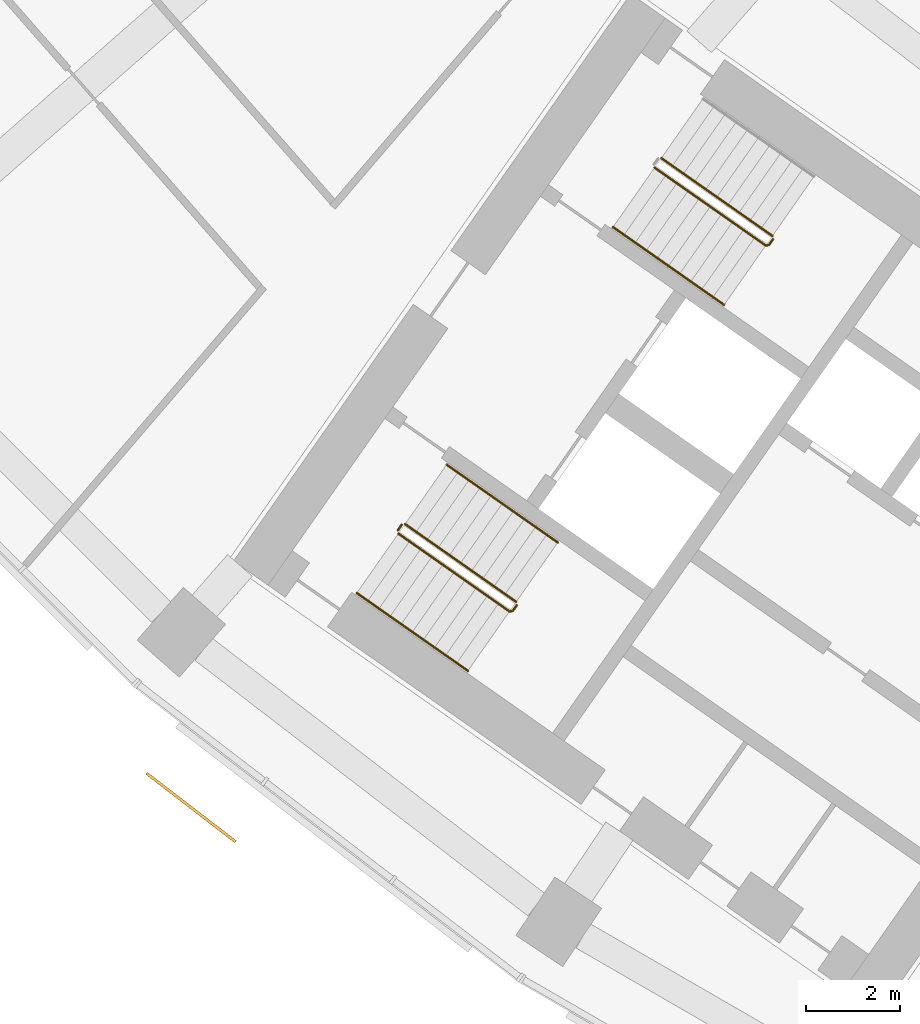
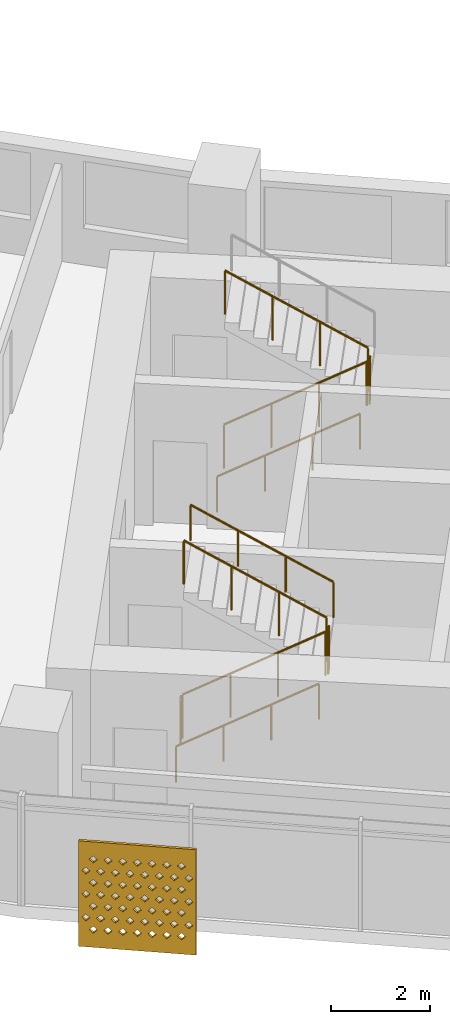
# One storey, part 24 of 29: 8 railings, 1 shading device.
"""IFC4 building model written with IfcOpenShell, lengths in metres."""

from ifc_helpers import new_model, si_unit, direction, frame, origin, origin_2d, place, context, subcontext, project, spatial, polyline, circle, outline, extrude, material, material_profile, profile_set, type_object, element, save


model = new_model("IFC4")

# Units and contexts
model_context = context("Model", 3, precision=1e-05, world=origin(), true_north=direction((0.0, 1.0)))
body_context = subcontext(model_context, "Body", "Model", "MODEL_VIEW")
ifc_project = project(units=[si_unit("LENGTHUNIT", "METRE"), si_unit("AREAUNIT", "SQUARE_METRE"), si_unit("VOLUMEUNIT", "CUBIC_METRE"), si_unit("PLANEANGLEUNIT", "RADIAN"), si_unit("MASSUNIT", "GRAM", prefix="KILO")], contexts=[model_context])

# Site, building, storey
site_placement = place(None, origin())
site = spatial("IfcSite", under=ifc_project, at=site_placement, CompositionType="ELEMENT")
building_placement = place(site_placement, origin())
building = spatial("IfcBuilding", under=site, at=building_placement, Name="Qamariyya Broadcast Tower", CompositionType="ELEMENT")
storey_placement = place(building_placement, frame((0.0, 0.0, 136.699951171875)))
storey = spatial("IfcBuildingStorey", under=building, at=storey_placement, Name="L31", CompositionType="ELEMENT", Elevation=136.699951171875)

# Shading device
ifc_material_1 = material(Name="Perforated glazed terracotta", Category="masonry")
ifc_material_profile = material_profile(ifc_material_1, outline(polyline([(-1.199951171875, -1.300048828125), (1.199951171875, -1.300048828125), (1.199951171875, 1.300048828125), (-1.199951171875, 1.300048828125), (-1.199951171875, -1.300048828125)]), holes=[polyline([(-0.81494140625, -0.86669921875), (-0.89990234375, -0.78173828125), (-0.985107421875, -0.86669921875), (-0.89990234375, -0.95166015625), (-0.81494140625, -0.86669921875)]), polyline([(-0.514892578125, -0.86669921875), (-0.60009765625, -0.78173828125), (-0.68505859375, -0.86669921875), (-0.60009765625, -0.95166015625), (-0.514892578125, -0.86669921875)]), polyline([(-0.215087890625, -0.86669921875), (-0.300048828125, -0.78173828125), (-0.385009765625, -0.86669921875), (-0.300048828125, -0.95166015625), (-0.215087890625, -0.86669921875)]), polyline([(0.0849609375, -0.86669921875), (0.0, -0.78173828125), (-0.0849609375, -0.86669921875), (0.0, -0.95166015625), (0.0849609375, -0.86669921875)]), polyline([(0.385009765625, -0.86669921875), (0.300048828125, -0.78173828125), (0.215087890625, -0.86669921875), (0.300048828125, -0.95166015625), (0.385009765625, -0.86669921875)]), polyline([(0.68505859375, -0.86669921875), (0.60009765625, -0.78173828125), (0.514892578125, -0.86669921875), (0.60009765625, -0.95166015625), (0.68505859375, -0.86669921875)]), polyline([(0.985107421875, -0.86669921875), (0.89990234375, -0.78173828125), (0.81494140625, -0.86669921875), (0.89990234375, -0.95166015625), (0.985107421875, -0.86669921875)]), polyline([(-0.965087890625, -0.577880859375), (-1.050048828125, -0.49267578125), (-1.135009765625, -0.577880859375), (-1.050048828125, -0.662841796875), (-0.965087890625, -0.577880859375)]), polyline([(-0.6650390625, -0.577880859375), (-0.75, -0.49267578125), (-0.8349609375, -0.577880859375), (-0.75, -0.662841796875), (-0.6650390625, -0.577880859375)]), polyline([(-0.364990234375, -0.577880859375), (-0.449951171875, -0.49267578125), (-0.534912109375, -0.577880859375), (-0.449951171875, -0.662841796875), (-0.364990234375, -0.577880859375)]), polyline([(-0.06494140625, -0.577880859375), (-0.14990234375, -0.49267578125), (-0.235107421875, -0.577880859375), (-0.14990234375, -0.662841796875), (-0.06494140625, -0.577880859375)]), polyline([(0.235107421875, -0.577880859375), (0.14990234375, -0.49267578125), (0.06494140625, -0.577880859375), (0.14990234375, -0.662841796875), (0.235107421875, -0.577880859375)]), polyline([(0.534912109375, -0.577880859375), (0.449951171875, -0.49267578125), (0.364990234375, -0.577880859375), (0.449951171875, -0.662841796875), (0.534912109375, -0.577880859375)]), polyline([(0.8349609375, -0.577880859375), (0.75, -0.49267578125), (0.6650390625, -0.577880859375), (0.75, -0.662841796875), (0.8349609375, -0.577880859375)]), polyline([(1.135009765625, -0.577880859375), (1.050048828125, -0.49267578125), (0.965087890625, -0.577880859375), (1.050048828125, -0.662841796875), (1.135009765625, -0.577880859375)]), polyline([(-0.81494140625, -0.288818359375), (-0.89990234375, -0.203857421875), (-0.985107421875, -0.288818359375), (-0.89990234375, -0.373779296875), (-0.81494140625, -0.288818359375)]), polyline([(-0.514892578125, -0.288818359375), (-0.60009765625, -0.203857421875), (-0.68505859375, -0.288818359375), (-0.60009765625, -0.373779296875), (-0.514892578125, -0.288818359375)]), polyline([(-0.215087890625, -0.288818359375), (-0.300048828125, -0.203857421875), (-0.385009765625, -0.288818359375), (-0.300048828125, -0.373779296875), (-0.215087890625, -0.288818359375)]), polyline([(0.0849609375, -0.288818359375), (0.0, -0.203857421875), (-0.0849609375, -0.288818359375), (0.0, -0.373779296875), (0.0849609375, -0.288818359375)]), polyline([(0.385009765625, -0.288818359375), (0.300048828125, -0.203857421875), (0.215087890625, -0.288818359375), (0.300048828125, -0.373779296875), (0.385009765625, -0.288818359375)]), polyline([(0.68505859375, -0.288818359375), (0.60009765625, -0.203857421875), (0.514892578125, -0.288818359375), (0.60009765625, -0.373779296875), (0.68505859375, -0.288818359375)]), polyline([(0.985107421875, -0.288818359375), (0.89990234375, -0.203857421875), (0.81494140625, -0.288818359375), (0.89990234375, -0.373779296875), (0.985107421875, -0.288818359375)]), polyline([(-0.965087890625, 0.0), (-1.050048828125, 0.0849609375), (-1.135009765625, 0.0), (-1.050048828125, -0.0849609375), (-0.965087890625, 0.0)]), polyline([(-0.6650390625, 0.0), (-0.75, 0.0849609375), (-0.8349609375, 0.0), (-0.75, -0.0849609375), (-0.6650390625, 0.0)]), polyline([(-0.364990234375, 0.0), (-0.449951171875, 0.0849609375), (-0.534912109375, 0.0), (-0.449951171875, -0.0849609375), (-0.364990234375, 0.0)]), polyline([(-0.06494140625, 0.0), (-0.14990234375, 0.0849609375), (-0.235107421875, 0.0), (-0.14990234375, -0.0849609375), (-0.06494140625, 0.0)]), polyline([(0.235107421875, 0.0), (0.14990234375, 0.0849609375), (0.06494140625, 0.0), (0.14990234375, -0.0849609375), (0.235107421875, 0.0)]), polyline([(0.534912109375, 0.0), (0.449951171875, 0.0849609375), (0.364990234375, 0.0), (0.449951171875, -0.0849609375), (0.534912109375, 0.0)]), polyline([(0.8349609375, 0.0), (0.75, 0.0849609375), (0.6650390625, 0.0), (0.75, -0.0849609375), (0.8349609375, 0.0)]), polyline([(1.135009765625, 0.0), (1.050048828125, 0.0849609375), (0.965087890625, 0.0), (1.050048828125, -0.0849609375), (1.135009765625, 0.0)]), polyline([(-0.81494140625, 0.288818359375), (-0.89990234375, 0.373779296875), (-0.985107421875, 0.288818359375), (-0.89990234375, 0.203857421875), (-0.81494140625, 0.288818359375)]), polyline([(-0.514892578125, 0.288818359375), (-0.60009765625, 0.373779296875), (-0.68505859375, 0.288818359375), (-0.60009765625, 0.203857421875), (-0.514892578125, 0.288818359375)]), polyline([(-0.215087890625, 0.288818359375), (-0.300048828125, 0.373779296875), (-0.385009765625, 0.288818359375), (-0.300048828125, 0.203857421875), (-0.215087890625, 0.288818359375)]), polyline([(0.0849609375, 0.288818359375), (0.0, 0.373779296875), (-0.0849609375, 0.288818359375), (0.0, 0.203857421875), (0.0849609375, 0.288818359375)]), polyline([(0.385009765625, 0.288818359375), (0.300048828125, 0.373779296875), (0.215087890625, 0.288818359375), (0.300048828125, 0.203857421875), (0.385009765625, 0.288818359375)]), polyline([(0.68505859375, 0.288818359375), (0.60009765625, 0.373779296875), (0.514892578125, 0.288818359375), (0.60009765625, 0.203857421875), (0.68505859375, 0.288818359375)]), polyline([(0.985107421875, 0.288818359375), (0.89990234375, 0.373779296875), (0.81494140625, 0.288818359375), (0.89990234375, 0.203857421875), (0.985107421875, 0.288818359375)]), polyline([(-0.965087890625, 0.577880859375), (-1.050048828125, 0.662841796875), (-1.135009765625, 0.577880859375), (-1.050048828125, 0.49267578125), (-0.965087890625, 0.577880859375)]), polyline([(-0.6650390625, 0.577880859375), (-0.75, 0.662841796875), (-0.8349609375, 0.577880859375), (-0.75, 0.49267578125), (-0.6650390625, 0.577880859375)]), polyline([(-0.364990234375, 0.577880859375), (-0.449951171875, 0.662841796875), (-0.534912109375, 0.577880859375), (-0.449951171875, 0.49267578125), (-0.364990234375, 0.577880859375)]), polyline([(-0.06494140625, 0.577880859375), (-0.14990234375, 0.662841796875), (-0.235107421875, 0.577880859375), (-0.14990234375, 0.49267578125), (-0.06494140625, 0.577880859375)]), polyline([(0.235107421875, 0.577880859375), (0.14990234375, 0.662841796875), (0.06494140625, 0.577880859375), (0.14990234375, 0.49267578125), (0.235107421875, 0.577880859375)]), polyline([(0.534912109375, 0.577880859375), (0.449951171875, 0.662841796875), (0.364990234375, 0.577880859375), (0.449951171875, 0.49267578125), (0.534912109375, 0.577880859375)]), polyline([(0.8349609375, 0.577880859375), (0.75, 0.662841796875), (0.6650390625, 0.577880859375), (0.75, 0.49267578125), (0.8349609375, 0.577880859375)]), polyline([(1.135009765625, 0.577880859375), (1.050048828125, 0.662841796875), (0.965087890625, 0.577880859375), (1.050048828125, 0.49267578125), (1.135009765625, 0.577880859375)]), polyline([(-0.81494140625, 0.86669921875), (-0.89990234375, 0.95166015625), (-0.985107421875, 0.86669921875), (-0.89990234375, 0.78173828125), (-0.81494140625, 0.86669921875)]), polyline([(-0.514892578125, 0.86669921875), (-0.60009765625, 0.95166015625), (-0.68505859375, 0.86669921875), (-0.60009765625, 0.78173828125), (-0.514892578125, 0.86669921875)]), polyline([(-0.215087890625, 0.86669921875), (-0.300048828125, 0.95166015625), (-0.385009765625, 0.86669921875), (-0.300048828125, 0.78173828125), (-0.215087890625, 0.86669921875)]), polyline([(0.0849609375, 0.86669921875), (0.0, 0.95166015625), (-0.0849609375, 0.86669921875), (0.0, 0.78173828125), (0.0849609375, 0.86669921875)]), polyline([(0.385009765625, 0.86669921875), (0.300048828125, 0.95166015625), (0.215087890625, 0.86669921875), (0.300048828125, 0.78173828125), (0.385009765625, 0.86669921875)]), polyline([(0.68505859375, 0.86669921875), (0.60009765625, 0.95166015625), (0.514892578125, 0.86669921875), (0.60009765625, 0.78173828125), (0.68505859375, 0.86669921875)]), polyline([(0.985107421875, 0.86669921875), (0.89990234375, 0.95166015625), (0.81494140625, 0.86669921875), (0.89990234375, 0.78173828125), (0.985107421875, 0.86669921875)])]))
ifc_profile_set = profile_set([ifc_material_profile], Name="Perforated glazed terracotta")
shading_device_type = type_object("IfcShadingDeviceType", Name="Perforated terracotta screen 2400 x 2600", PredefinedType="USERDEFINED", material=ifc_profile_set)
shading_device_placement = place(storey_placement, frame((-51.038818359375, -62.1787109375, 1.35009765625), z_axis=(-0.60971076085, -0.792623989105, 0.0), x_axis=(0.792623989105, -0.60971076085, 0.0)))
element("IfcShadingDevice", 1, at=shading_device_placement, inside=storey, type_object=shading_device_type, Name="e-scr-L31-04-0", ObjectType="SCREEN", PredefinedType="USERDEFINED", context=body_context, shape_type="SweptSolid", body=[
    extrude(outline(polyline([(-1.199951171875, -1.300048828125), (1.199951171875, -1.300048828125), (1.199951171875, 1.300048828125), (-1.199951171875, 1.300048828125), (-1.199951171875, -1.300048828125)]), holes=[polyline([(-0.81494140625, -0.86669921875), (-0.89990234375, -0.78173828125), (-0.985107421875, -0.86669921875), (-0.89990234375, -0.95166015625), (-0.81494140625, -0.86669921875)]), polyline([(-0.514892578125, -0.86669921875), (-0.60009765625, -0.78173828125), (-0.68505859375, -0.86669921875), (-0.60009765625, -0.95166015625), (-0.514892578125, -0.86669921875)]), polyline([(-0.215087890625, -0.86669921875), (-0.300048828125, -0.78173828125), (-0.385009765625, -0.86669921875), (-0.300048828125, -0.95166015625), (-0.215087890625, -0.86669921875)]), polyline([(0.0849609375, -0.86669921875), (0.0, -0.78173828125), (-0.0849609375, -0.86669921875), (0.0, -0.95166015625), (0.0849609375, -0.86669921875)]), polyline([(0.385009765625, -0.86669921875), (0.300048828125, -0.78173828125), (0.215087890625, -0.86669921875), (0.300048828125, -0.95166015625), (0.385009765625, -0.86669921875)]), polyline([(0.68505859375, -0.86669921875), (0.60009765625, -0.78173828125), (0.514892578125, -0.86669921875), (0.60009765625, -0.95166015625), (0.68505859375, -0.86669921875)]), polyline([(0.985107421875, -0.86669921875), (0.89990234375, -0.78173828125), (0.81494140625, -0.86669921875), (0.89990234375, -0.95166015625), (0.985107421875, -0.86669921875)]), polyline([(-0.965087890625, -0.577880859375), (-1.050048828125, -0.49267578125), (-1.135009765625, -0.577880859375), (-1.050048828125, -0.662841796875), (-0.965087890625, -0.577880859375)]), polyline([(-0.6650390625, -0.577880859375), (-0.75, -0.49267578125), (-0.8349609375, -0.577880859375), (-0.75, -0.662841796875), (-0.6650390625, -0.577880859375)]), polyline([(-0.364990234375, -0.577880859375), (-0.449951171875, -0.49267578125), (-0.534912109375, -0.577880859375), (-0.449951171875, -0.662841796875), (-0.364990234375, -0.577880859375)]), polyline([(-0.06494140625, -0.577880859375), (-0.14990234375, -0.49267578125), (-0.235107421875, -0.577880859375), (-0.14990234375, -0.662841796875), (-0.06494140625, -0.577880859375)]), polyline([(0.235107421875, -0.577880859375), (0.14990234375, -0.49267578125), (0.06494140625, -0.577880859375), (0.14990234375, -0.662841796875), (0.235107421875, -0.577880859375)]), polyline([(0.534912109375, -0.577880859375), (0.449951171875, -0.49267578125), (0.364990234375, -0.577880859375), (0.449951171875, -0.662841796875), (0.534912109375, -0.577880859375)]), polyline([(0.8349609375, -0.577880859375), (0.75, -0.49267578125), (0.6650390625, -0.577880859375), (0.75, -0.662841796875), (0.8349609375, -0.577880859375)]), polyline([(1.135009765625, -0.577880859375), (1.050048828125, -0.49267578125), (0.965087890625, -0.577880859375), (1.050048828125, -0.662841796875), (1.135009765625, -0.577880859375)]), polyline([(-0.81494140625, -0.288818359375), (-0.89990234375, -0.203857421875), (-0.985107421875, -0.288818359375), (-0.89990234375, -0.373779296875), (-0.81494140625, -0.288818359375)]), polyline([(-0.514892578125, -0.288818359375), (-0.60009765625, -0.203857421875), (-0.68505859375, -0.288818359375), (-0.60009765625, -0.373779296875), (-0.514892578125, -0.288818359375)]), polyline([(-0.215087890625, -0.288818359375), (-0.300048828125, -0.203857421875), (-0.385009765625, -0.288818359375), (-0.300048828125, -0.373779296875), (-0.215087890625, -0.288818359375)]), polyline([(0.0849609375, -0.288818359375), (0.0, -0.203857421875), (-0.0849609375, -0.288818359375), (0.0, -0.373779296875), (0.0849609375, -0.288818359375)]), polyline([(0.385009765625, -0.288818359375), (0.300048828125, -0.203857421875), (0.215087890625, -0.288818359375), (0.300048828125, -0.373779296875), (0.385009765625, -0.288818359375)]), polyline([(0.68505859375, -0.288818359375), (0.60009765625, -0.203857421875), (0.514892578125, -0.288818359375), (0.60009765625, -0.373779296875), (0.68505859375, -0.288818359375)]), polyline([(0.985107421875, -0.288818359375), (0.89990234375, -0.203857421875), (0.81494140625, -0.288818359375), (0.89990234375, -0.373779296875), (0.985107421875, -0.288818359375)]), polyline([(-0.965087890625, 0.0), (-1.050048828125, 0.0849609375), (-1.135009765625, 0.0), (-1.050048828125, -0.0849609375), (-0.965087890625, 0.0)]), polyline([(-0.6650390625, 0.0), (-0.75, 0.0849609375), (-0.8349609375, 0.0), (-0.75, -0.0849609375), (-0.6650390625, 0.0)]), polyline([(-0.364990234375, 0.0), (-0.449951171875, 0.0849609375), (-0.534912109375, 0.0), (-0.449951171875, -0.0849609375), (-0.364990234375, 0.0)]), polyline([(-0.06494140625, 0.0), (-0.14990234375, 0.0849609375), (-0.235107421875, 0.0), (-0.14990234375, -0.0849609375), (-0.06494140625, 0.0)]), polyline([(0.235107421875, 0.0), (0.14990234375, 0.0849609375), (0.06494140625, 0.0), (0.14990234375, -0.0849609375), (0.235107421875, 0.0)]), polyline([(0.534912109375, 0.0), (0.449951171875, 0.0849609375), (0.364990234375, 0.0), (0.449951171875, -0.0849609375), (0.534912109375, 0.0)]), polyline([(0.8349609375, 0.0), (0.75, 0.0849609375), (0.6650390625, 0.0), (0.75, -0.0849609375), (0.8349609375, 0.0)]), polyline([(1.135009765625, 0.0), (1.050048828125, 0.0849609375), (0.965087890625, 0.0), (1.050048828125, -0.0849609375), (1.135009765625, 0.0)]), polyline([(-0.81494140625, 0.288818359375), (-0.89990234375, 0.373779296875), (-0.985107421875, 0.288818359375), (-0.89990234375, 0.203857421875), (-0.81494140625, 0.288818359375)]), polyline([(-0.514892578125, 0.288818359375), (-0.60009765625, 0.373779296875), (-0.68505859375, 0.288818359375), (-0.60009765625, 0.203857421875), (-0.514892578125, 0.288818359375)]), polyline([(-0.215087890625, 0.288818359375), (-0.300048828125, 0.373779296875), (-0.385009765625, 0.288818359375), (-0.300048828125, 0.203857421875), (-0.215087890625, 0.288818359375)]), polyline([(0.0849609375, 0.288818359375), (0.0, 0.373779296875), (-0.0849609375, 0.288818359375), (0.0, 0.203857421875), (0.0849609375, 0.288818359375)]), polyline([(0.385009765625, 0.288818359375), (0.300048828125, 0.373779296875), (0.215087890625, 0.288818359375), (0.300048828125, 0.203857421875), (0.385009765625, 0.288818359375)]), polyline([(0.68505859375, 0.288818359375), (0.60009765625, 0.373779296875), (0.514892578125, 0.288818359375), (0.60009765625, 0.203857421875), (0.68505859375, 0.288818359375)]), polyline([(0.985107421875, 0.288818359375), (0.89990234375, 0.373779296875), (0.81494140625, 0.288818359375), (0.89990234375, 0.203857421875), (0.985107421875, 0.288818359375)]), polyline([(-0.965087890625, 0.577880859375), (-1.050048828125, 0.662841796875), (-1.135009765625, 0.577880859375), (-1.050048828125, 0.49267578125), (-0.965087890625, 0.577880859375)]), polyline([(-0.6650390625, 0.577880859375), (-0.75, 0.662841796875), (-0.8349609375, 0.577880859375), (-0.75, 0.49267578125), (-0.6650390625, 0.577880859375)]), polyline([(-0.364990234375, 0.577880859375), (-0.449951171875, 0.662841796875), (-0.534912109375, 0.577880859375), (-0.449951171875, 0.49267578125), (-0.364990234375, 0.577880859375)]), polyline([(-0.06494140625, 0.577880859375), (-0.14990234375, 0.662841796875), (-0.235107421875, 0.577880859375), (-0.14990234375, 0.49267578125), (-0.06494140625, 0.577880859375)]), polyline([(0.235107421875, 0.577880859375), (0.14990234375, 0.662841796875), (0.06494140625, 0.577880859375), (0.14990234375, 0.49267578125), (0.235107421875, 0.577880859375)]), polyline([(0.534912109375, 0.577880859375), (0.449951171875, 0.662841796875), (0.364990234375, 0.577880859375), (0.449951171875, 0.49267578125), (0.534912109375, 0.577880859375)]), polyline([(0.8349609375, 0.577880859375), (0.75, 0.662841796875), (0.6650390625, 0.577880859375), (0.75, 0.49267578125), (0.8349609375, 0.577880859375)]), polyline([(1.135009765625, 0.577880859375), (1.050048828125, 0.662841796875), (0.965087890625, 0.577880859375), (1.050048828125, 0.49267578125), (1.135009765625, 0.577880859375)]), polyline([(-0.81494140625, 0.86669921875), (-0.89990234375, 0.95166015625), (-0.985107421875, 0.86669921875), (-0.89990234375, 0.78173828125), (-0.81494140625, 0.86669921875)]), polyline([(-0.514892578125, 0.86669921875), (-0.60009765625, 0.95166015625), (-0.68505859375, 0.86669921875), (-0.60009765625, 0.78173828125), (-0.514892578125, 0.86669921875)]), polyline([(-0.215087890625, 0.86669921875), (-0.300048828125, 0.95166015625), (-0.385009765625, 0.86669921875), (-0.300048828125, 0.78173828125), (-0.215087890625, 0.86669921875)]), polyline([(0.0849609375, 0.86669921875), (0.0, 0.95166015625), (-0.0849609375, 0.86669921875), (0.0, 0.78173828125), (0.0849609375, 0.86669921875)]), polyline([(0.385009765625, 0.86669921875), (0.300048828125, 0.95166015625), (0.215087890625, 0.86669921875), (0.300048828125, 0.78173828125), (0.385009765625, 0.86669921875)]), polyline([(0.68505859375, 0.86669921875), (0.60009765625, 0.95166015625), (0.514892578125, 0.86669921875), (0.60009765625, 0.78173828125), (0.68505859375, 0.86669921875)]), polyline([(0.985107421875, 0.86669921875), (0.89990234375, 0.95166015625), (0.81494140625, 0.86669921875), (0.89990234375, 0.78173828125), (0.985107421875, 0.86669921875)])]), origin(), (0.0, 0.0, 1.0), 0.06005859375),
])

# Railings
ifc_material_2 = material(Name="Painted steel", Category="steel")
railing_type_1 = type_object("IfcRailingType", Name="Stair guard", PredefinedType="GUARDRAIL", material=ifc_material_2)
railing_1_placement = place(storey_placement, frame((-41.146728515625, -48.52490234375, 0.1728515625)))
element("IfcRailing", 2, at=railing_1_placement, inside=storey, type_object=railing_type_1, Name="L31 ST-W2 stair guard 1", PredefinedType="GUARDRAIL", context=body_context, shape_type="SweptSolid", body=[
    extrude(circle(Radius=0.02392578125, at=origin_2d()), frame((0.0, 0.0, 1.076171875), z_axis=(0.703770094002, -0.492783725636, 0.511734163933), x_axis=(0.573575343427, 0.819152809562, 0.0)), (0.0, 0.0, 1.0), 3.37548828125),
    extrude(circle(Radius=0.02392578125, at=origin_2d()), frame((2.37548828125, -1.663330078125, 2.80322265625), z_axis=(0.985059694769, 0.172213233351, 0.0), x_axis=(-0.172213233351, 0.985059694769, 0.0)), (0.0, 0.0, 1.0), 0.07080078125),
    extrude(circle(Radius=0.02392578125, at=origin_2d()), frame((2.4453125, -1.651123046875, 2.80322265625), z_axis=(0.572588637393, 0.819842821722, 0.0), x_axis=(-0.819842821722, 0.572588637393, 0.0)), (0.0, 0.0, 1.0), 0.150146484375),
    extrude(circle(Radius=0.02099609375, at=origin_2d()), origin(), (0.0, 0.0, 1.0), 1.052001953125),
    extrude(circle(Radius=0.02099609375, at=origin_2d()), frame((0.791748046875, -0.554443359375, 0.57568359375)), (0.0, 0.0, 1.0), 1.052001953125),
    extrude(circle(Radius=0.02099609375, at=origin_2d()), frame((1.583740234375, -1.10888671875, 1.151611328125)), (0.0, 0.0, 1.0), 1.052001953125),
    extrude(circle(Radius=0.02099609375, at=origin_2d()), frame((2.37548828125, -1.663330078125, 1.727294921875)), (0.0, 0.0, 1.0), 1.052001953125),
    extrude(circle(Radius=0.02099609375, at=origin_2d()), frame((2.4453125, -1.651123046875, 1.727294921875)), (0.0, 0.0, 1.0), 1.052001953125),
    extrude(circle(Radius=0.02099609375, at=origin_2d()), frame((2.53125, -1.528076171875, 1.727294921875)), (0.0, 0.0, 1.0), 1.052001953125),
])
railing_2_placement = place(storey_placement, frame((-38.627685546875, -49.9833984375, 2.07275390625)))
element("IfcRailing", 3, at=railing_2_placement, inside=storey, type_object=railing_type_1, Name="L31 ST-W2 stair guard 2", PredefinedType="GUARDRAIL", context=body_context, shape_type="SweptSolid", body=[
    extrude(circle(Radius=0.02392578125, at=origin_2d()), frame((0.0, 0.0, 1.076171875), z_axis=(-0.703770094002, 0.492783725636, 0.511734163933), x_axis=(-0.573575343427, -0.819152809562, 0.0)), (0.0, 0.0, 1.0), 3.37548828125),
    extrude(circle(Radius=0.02099609375, at=origin_2d()), origin(), (0.0, 0.0, 1.0), 1.052001953125),
    extrude(circle(Radius=0.02099609375, at=origin_2d()), frame((-0.791748046875, 0.554443359375, 0.57568359375)), (0.0, 0.0, 1.0), 1.052001953125),
    extrude(circle(Radius=0.02099609375, at=origin_2d()), frame((-1.583740234375, 1.10888671875, 1.151611328125)), (0.0, 0.0, 1.0), 1.052001953125),
    extrude(circle(Radius=0.02099609375, at=origin_2d()), frame((-2.37548828125, 1.663330078125, 1.727294921875)), (0.0, 0.0, 1.0), 1.052001953125),
])
railing_3_placement = place(storey_placement, frame((-46.624267578125, -56.34765625, 0.1728515625)))
element("IfcRailing", 4, at=railing_3_placement, inside=storey, type_object=railing_type_1, Name="L31 ST-W1 stair guard 1", PredefinedType="GUARDRAIL", context=body_context, shape_type="SweptSolid", body=[
    extrude(circle(Radius=0.02392578125, at=origin_2d()), frame((0.0, 0.0, 1.076171875), z_axis=(0.703745009021, -0.492838488332, 0.511715923826), x_axis=(0.573631830683, 0.819113253969, 0.0)), (0.0, 0.0, 1.0), 3.37548828125),
    extrude(circle(Radius=0.02392578125, at=origin_2d()), frame((2.37548828125, -1.66357421875, 2.80322265625), z_axis=(0.984363469884, 0.176149252506, 0.0), x_axis=(-0.176149252506, 0.984363469884, 0.0)), (0.0, 0.0, 1.0), 0.07080078125),
    extrude(circle(Radius=0.02392578125, at=origin_2d()), frame((2.445068359375, -1.651123046875, 2.80322265625), z_axis=(0.574444878118, 0.818543268254, 0.0), x_axis=(-0.818543268254, 0.574444878118, 0.0)), (0.0, 0.0, 1.0), 0.150146484375),
    extrude(circle(Radius=0.02099609375, at=origin_2d()), origin(), (0.0, 0.0, 1.0), 1.052001953125),
    extrude(circle(Radius=0.02099609375, at=origin_2d()), frame((0.791748046875, -0.554443359375, 0.57568359375)), (0.0, 0.0, 1.0), 1.052001953125),
    extrude(circle(Radius=0.02099609375, at=origin_2d()), frame((1.583740234375, -1.109130859375, 1.151611328125)), (0.0, 0.0, 1.0), 1.052001953125),
    extrude(circle(Radius=0.02099609375, at=origin_2d()), frame((2.37548828125, -1.66357421875, 1.727294921875)), (0.0, 0.0, 1.0), 1.052001953125),
    extrude(circle(Radius=0.02099609375, at=origin_2d()), frame((2.445068359375, -1.651123046875, 1.727294921875)), (0.0, 0.0, 1.0), 1.052001953125),
    extrude(circle(Radius=0.02099609375, at=origin_2d()), frame((2.53125, -1.5283203125, 1.727294921875)), (0.0, 0.0, 1.0), 1.052001953125),
])
railing_4_placement = place(storey_placement, frame((-44.10546875, -57.806396484375, 2.07275390625)))
element("IfcRailing", 5, at=railing_4_placement, inside=storey, type_object=railing_type_1, Name="L31 ST-W1 stair guard 2", PredefinedType="GUARDRAIL", context=body_context, shape_type="SweptSolid", body=[
    extrude(circle(Radius=0.02392578125, at=origin_2d()), frame((0.0, 0.0, 1.076171875), z_axis=(-0.703770094002, 0.492783725636, 0.511734163933), x_axis=(-0.573575343427, -0.819152809562, 0.0)), (0.0, 0.0, 1.0), 3.37548828125),
    extrude(circle(Radius=0.02099609375, at=origin_2d()), origin(), (0.0, 0.0, 1.0), 1.052001953125),
    extrude(circle(Radius=0.02099609375, at=origin_2d()), frame((-0.791748046875, 0.554443359375, 0.57568359375)), (0.0, 0.0, 1.0), 1.052001953125),
    extrude(circle(Radius=0.02099609375, at=origin_2d()), frame((-1.583740234375, 1.10888671875, 1.151611328125)), (0.0, 0.0, 1.0), 1.052001953125),
    extrude(circle(Radius=0.02099609375, at=origin_2d()), frame((-2.37548828125, 1.663330078125, 1.727294921875)), (0.0, 0.0, 1.0), 1.052001953125),
])
railing_5_placement = place(storey_placement, frame((-46.63671875, -56.278076171875, 0.0)))
element("IfcRailing", 6, at=railing_5_placement, inside=storey, type_object=railing_type_1, Name="L31 ST-W1 stair guard 3", PredefinedType="GUARDRAIL", context=body_context, shape_type="SweptSolid", body=[
    extrude(circle(Radius=0.02392578125, at=origin_2d()), frame((0.0, 0.0, 1.076171875), z_axis=(0.574444878118, 0.818543268254, 0.0), x_axis=(-0.818543268254, 0.574444878118, 0.0)), (0.0, 0.0, 1.0), 0.150146484375),
    extrude(circle(Radius=0.02099609375, at=origin_2d()), origin(), (0.0, 0.0, 1.0), 1.052001953125),
    extrude(circle(Radius=0.02099609375, at=origin_2d()), frame((0.086181640625, 0.122802734375, 0.0)), (0.0, 0.0, 1.0), 1.052001953125),
])
ifc_material_3 = material(Name="Stainless steel", Category="steel")
railing_type_2 = type_object("IfcRailingType", Name="Stair handrail", PredefinedType="HANDRAIL", material=ifc_material_3)
railing_6_placement = place(storey_placement, frame((-42.03564453125, -49.79443359375, 0.1728515625)))
element("IfcRailing", 7, at=railing_6_placement, inside=storey, type_object=railing_type_2, Name="L31 ST-W2 stair handrail 1", PredefinedType="HANDRAIL", context=body_context, shape_type="SweptSolid", body=[
    extrude(circle(Radius=0.02392578125, at=origin_2d()), frame((0.0, 0.0, 0.8759765625), z_axis=(0.703745009021, -0.492838488332, 0.511715923826), x_axis=(0.573631830683, 0.819113253969, 0.0)), (0.0, 0.0, 1.0), 3.37548828125),
    extrude(circle(Radius=0.02099609375, at=origin_2d()), origin(), (0.0, 0.0, 1.0), 0.851806640625),
    extrude(circle(Radius=0.02099609375, at=origin_2d()), frame((0.791748046875, -0.554443359375, 0.57568359375)), (0.0, 0.0, 1.0), 0.851806640625),
    extrude(circle(Radius=0.02099609375, at=origin_2d()), frame((1.583740234375, -1.109130859375, 1.151611328125)), (0.0, 0.0, 1.0), 0.851806640625),
    extrude(circle(Radius=0.02099609375, at=origin_2d()), frame((2.37548828125, -1.66357421875, 1.727294921875)), (0.0, 0.0, 1.0), 0.851806640625),
])
railing_7_placement = place(storey_placement, frame((-47.513427734375, -57.617431640625, 0.1728515625)))
element("IfcRailing", 8, at=railing_7_placement, inside=storey, type_object=railing_type_2, Name="L31 ST-W1 stair handrail 1", PredefinedType="HANDRAIL", context=body_context, shape_type="SweptSolid", body=[
    extrude(circle(Radius=0.02392578125, at=origin_2d()), frame((0.0, 0.0, 0.8759765625), z_axis=(0.703770094002, -0.492783725636, 0.511734163933), x_axis=(0.573575343427, 0.819152809562, 0.0)), (0.0, 0.0, 1.0), 3.37548828125),
    extrude(circle(Radius=0.02099609375, at=origin_2d()), origin(), (0.0, 0.0, 1.0), 0.851806640625),
    extrude(circle(Radius=0.02099609375, at=origin_2d()), frame((0.791748046875, -0.554443359375, 0.57568359375)), (0.0, 0.0, 1.0), 0.851806640625),
    extrude(circle(Radius=0.02099609375, at=origin_2d()), frame((1.583740234375, -1.10888671875, 1.151611328125)), (0.0, 0.0, 1.0), 0.851806640625),
    extrude(circle(Radius=0.02099609375, at=origin_2d()), frame((2.37548828125, -1.663330078125, 1.727294921875)), (0.0, 0.0, 1.0), 0.851806640625),
])
railing_8_placement = place(storey_placement, frame((-43.21630859375, -56.53662109375, 2.07275390625)))
element("IfcRailing", 9, at=railing_8_placement, inside=storey, type_object=railing_type_2, Name="L31 ST-W1 stair handrail 2", PredefinedType="HANDRAIL", context=body_context, shape_type="SweptSolid", body=[
    extrude(circle(Radius=0.02392578125, at=origin_2d()), frame((0.0, 0.0, 0.8759765625), z_axis=(-0.703770094002, 0.492783725636, 0.511734163933), x_axis=(-0.573575343427, -0.819152809562, 0.0)), (0.0, 0.0, 1.0), 3.37548828125),
    extrude(circle(Radius=0.02099609375, at=origin_2d()), origin(), (0.0, 0.0, 1.0), 0.851806640625),
    extrude(circle(Radius=0.02099609375, at=origin_2d()), frame((-0.791748046875, 0.554443359375, 0.57568359375)), (0.0, 0.0, 1.0), 0.851806640625),
    extrude(circle(Radius=0.02099609375, at=origin_2d()), frame((-1.583740234375, 1.10888671875, 1.151611328125)), (0.0, 0.0, 1.0), 0.851806640625),
    extrude(circle(Radius=0.02099609375, at=origin_2d()), frame((-2.37548828125, 1.663330078125, 1.727294921875)), (0.0, 0.0, 1.0), 0.851806640625),
])

save(model, "model.ifc")
